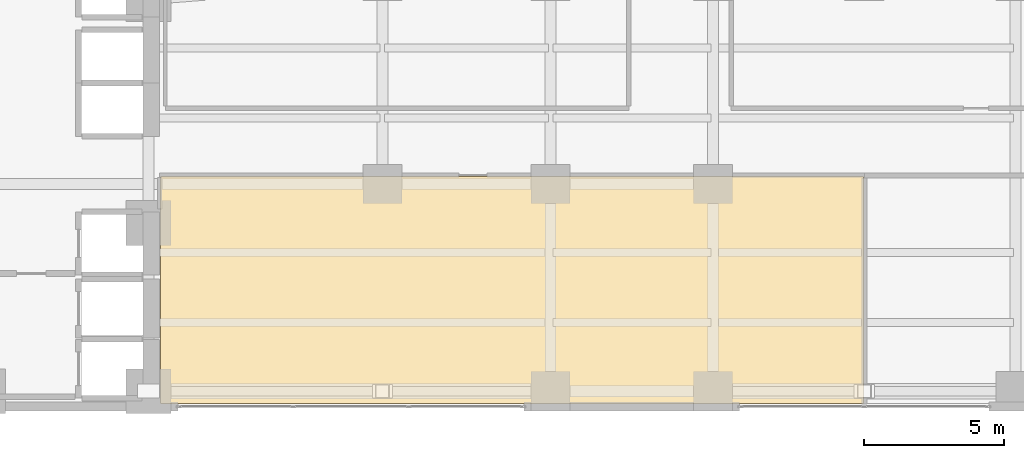
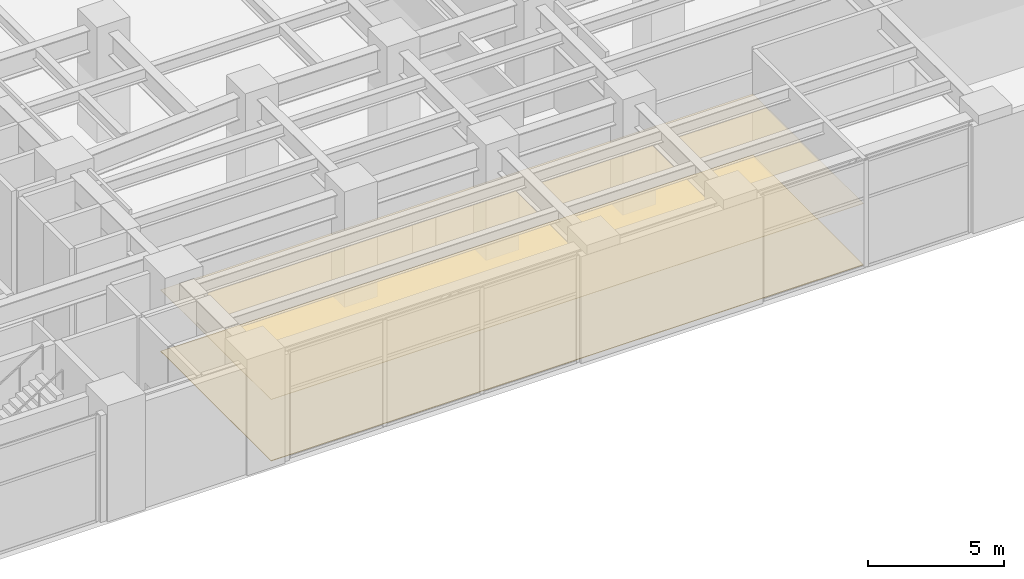
# One storey, part 27 of 29: 2 coverings.
"""IFC4 building model written with IfcOpenShell, lengths in metres."""

from ifc_helpers import new_model, si_unit, direction, frame, origin, place, context, subcontext, project, spatial, polyline, outline, extrude, material, layer, layer_set, type_object, element, save


model = new_model("IFC4")

# Units and contexts
model_context = context("Model", 3, precision=1e-05, world=origin(), true_north=direction((0.0, 1.0)))
body_context = subcontext(model_context, "Body", "Model", "MODEL_VIEW")
ifc_project = project(units=[si_unit("LENGTHUNIT", "METRE"), si_unit("AREAUNIT", "SQUARE_METRE"), si_unit("VOLUMEUNIT", "CUBIC_METRE"), si_unit("PLANEANGLEUNIT", "RADIAN"), si_unit("MASSUNIT", "GRAM", prefix="KILO")], contexts=[model_context])

# Site, building, storey
site_placement = place(None, origin())
site = spatial("IfcSite", under=ifc_project, at=site_placement, CompositionType="ELEMENT")
building_placement = place(site_placement, origin())
building = spatial("IfcBuilding", under=site, at=building_placement, Name="Mawjaban Terraces University", CompositionType="ELEMENT")
storey_placement = place(building_placement, frame((0.0, 0.0, 20.800048828125)))
storey = spatial("IfcBuildingStorey", under=building, at=storey_placement, Name="L04", CompositionType="ELEMENT", Elevation=20.800048828125)

# Coverings
ifc_material_1 = material(Name="Acoustic mineral fibre ceiling tile", Category="masonry")
ifc_layer_1 = layer(ifc_material_1, 0.02001953125)
ifc_layer_set_1 = layer_set([ifc_layer_1], Name="Acoustic mineral fibre ceiling tile")
covering_type_1 = type_object("IfcCoveringType", Name="AcousticMineralCeiling_20", PredefinedType="CEILING", material=ifc_layer_set_1)
covering_1_placement = place(storey_placement, frame((0.0, 0.0, 2.75)))
element("IfcCovering", 1, at=covering_1_placement, inside=storey, type_object=covering_type_1, Name="L04 Foundation Seminar Classroom Acoustic Ceiling", PredefinedType="CEILING", context=body_context, shape_type="SweptSolid", body=[
    extrude(outline(polyline([(38.080078125, 0.114990234375), (63.169921875, 0.114990234375), (63.169921875, 8.219970703125), (38.080078125, 8.219970703125), (38.080078125, 0.114990234375)])), origin(), (0.0, 0.0, 1.0), 0.02001953125),
])
ifc_material_2 = material(Name="Polished Hijazi granite terrazzo flooring", Category="masonry")
ifc_layer_2 = layer(ifc_material_2, 0.02490234375)
ifc_layer_set_2 = layer_set([ifc_layer_2], Name="Polished Hijazi granite terrazzo flooring")
covering_type_2 = type_object("IfcCoveringType", Name="TerrazzoConcourseFlooring_25", PredefinedType="FLOORING", material=ifc_layer_set_2)
covering_2_placement = place(storey_placement, origin())
element("IfcCovering", 2, at=covering_2_placement, inside=storey, type_object=covering_type_2, Name="L04 Foundation Seminar Classroom Terrazzo Flooring", PredefinedType="FLOORING", context=body_context, shape_type="SweptSolid", body=[
    extrude(outline(polyline([(38.080078125, 0.114990234375), (63.169921875, 0.114990234375), (63.169921875, 8.219970703125), (38.080078125, 8.219970703125), (38.080078125, 0.114990234375)])), origin(), (0.0, 0.0, 1.0), 0.02490234375),
])

save(model, "model.ifc")
